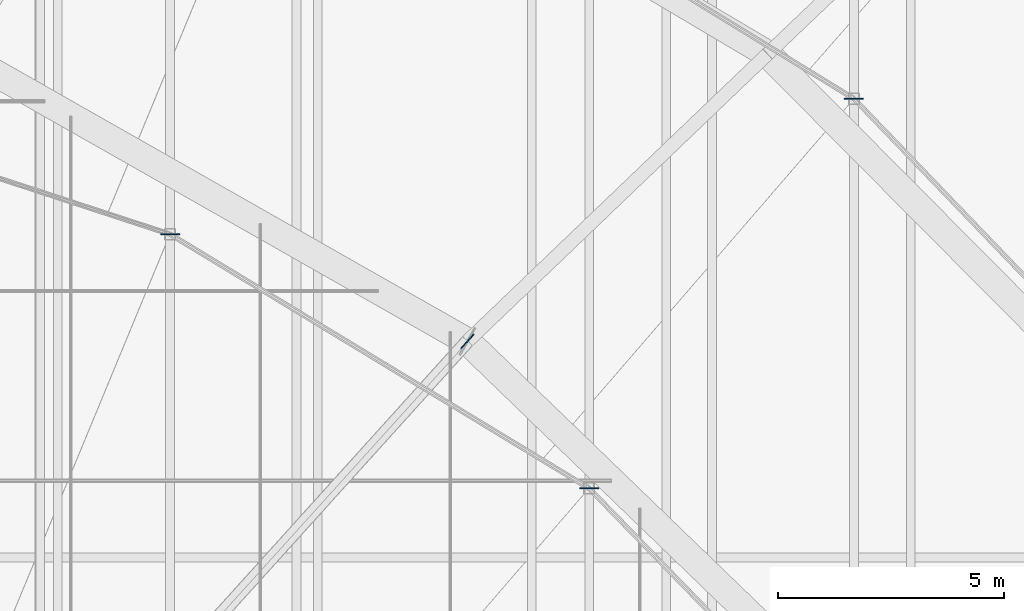
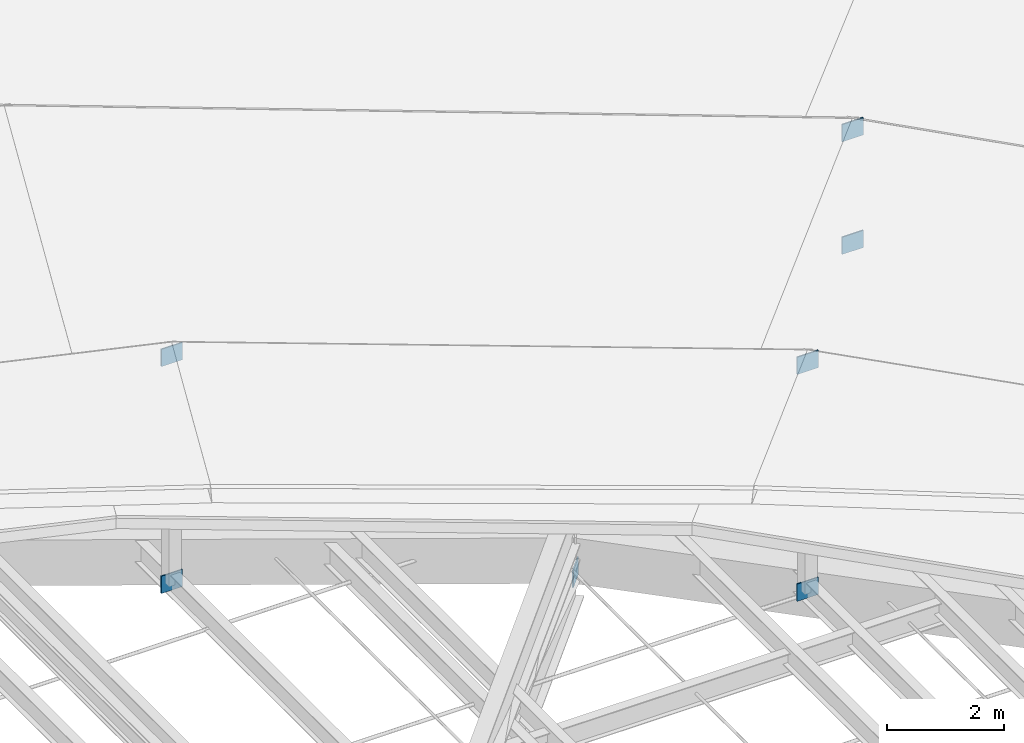
# One storey, part 178 of 184: 7 plates.
"""IFC4 building model written with IfcOpenShell, lengths in metres."""

from ifc_helpers import new_model, si_unit, direction, frame, origin, origin_2d, place, context, subcontext, project, spatial, rectangle, extrude, material, layer, layer_set, type_object, element, save


model = new_model("IFC4")

# Units and contexts
model_context = context("Model", 3, precision=1e-05, world=origin(), true_north=direction((0.0, 1.0)))
body_context = subcontext(model_context, "Body", "Model", "MODEL_VIEW")
ifc_project = project(units=[si_unit("LENGTHUNIT", "METRE"), si_unit("AREAUNIT", "SQUARE_METRE"), si_unit("VOLUMEUNIT", "CUBIC_METRE"), si_unit("PLANEANGLEUNIT", "RADIAN"), si_unit("MASSUNIT", "GRAM", prefix="KILO")], contexts=[model_context])

# Site, building, storey
site_placement = place(None, origin())
site = spatial("IfcSite", under=ifc_project, at=site_placement, CompositionType="ELEMENT")
building_placement = place(site_placement, origin())
building = spatial("IfcBuilding", under=site, at=building_placement, Name="Kalgoora Escarpment Arena", CompositionType="ELEMENT")
storey_placement = place(building_placement, frame((0.0, 0.0, 27.60009765625)))
storey = spatial("IfcBuildingStorey", under=building, at=storey_placement, Name="Roof Level", CompositionType="ELEMENT", Elevation=27.60009765625)

# Plates
ifc_material = material(Name="Structural steel Grade 350 (350 MPa)", Category="steel")
ifc_layer = layer(ifc_material, 0.02490234375)
ifc_layer_set = layer_set([ifc_layer], Name="PLT-GUSSET-25")
plate_type = type_object("IfcPlateType", Name="PLT-GUSSET-25", PredefinedType="USERDEFINED", material=ifc_layer_set)
for number, where, z_axis, x_axis, name in (
    (1, (130.583740234375, 92.2841796875, -1.88037109375), (0.0, 0.0, 1.0), (-0.670426618959, -0.741975840976, 0.0), "Brace and post end gusset plate 078"),
    (2, (139.1435546875, 97.658203125, -1.26025390625), (0.0, 0.0, 1.0), (1.0, 0.0, 0.0), "Brace and post end gusset plate 185"),
    (3, (139.1435546875, 97.658203125, 1.0849609375), (0.0, 0.0, 1.0), (1.0, 0.0, 0.0), "Brace and post end gusset plate 186"),
    (4, (133.2783203125, 89.031494140625, -1.2001953125), (0.0, 0.0, 1.0), (1.0, 0.0, 0.0), "Brace and post end gusset plate 232"),
    (5, (133.2783203125, 89.031494140625, 3.52490234375), (0.0, 0.0, 1.0), (1.0, 0.0, 0.0), "Brace and post end gusset plate 233"),
    (6, (124.0, 94.6572265625, -1.2001953125), (0.0, 0.0, 1.0), (1.0, 0.0, 0.0), "Brace and post end gusset plate 234"),
    (7, (124.0, 94.6572265625, 3.52490234375), (0.0, 0.0, 1.0), (1.0, 0.0, 0.0), "Brace and post end gusset plate 235"),
):
    element("IfcPlate", number, at=place(storey_placement, frame(where, z_axis=z_axis, x_axis=x_axis)), inside=storey, type_object=plate_type, Name=name, ObjectType="FLANGE PLATE", PredefinedType="USERDEFINED", context=body_context, shape_type="SweptSolid", body=[
        extrude(rectangle(XDim=0.419921875, YDim=0.02490234375, at=origin_2d()), origin(), (0.0, 0.0, 1.0), 0.360107421875),
    ])

save(model, "model.ifc")
